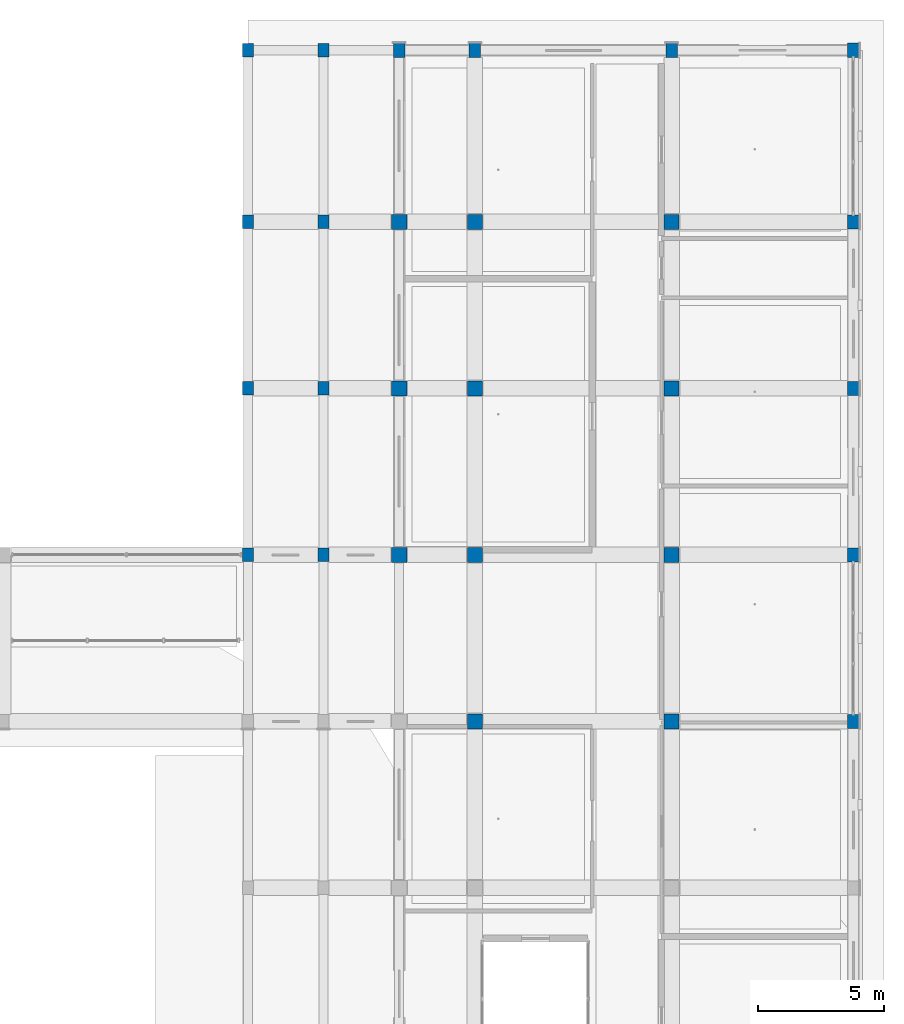
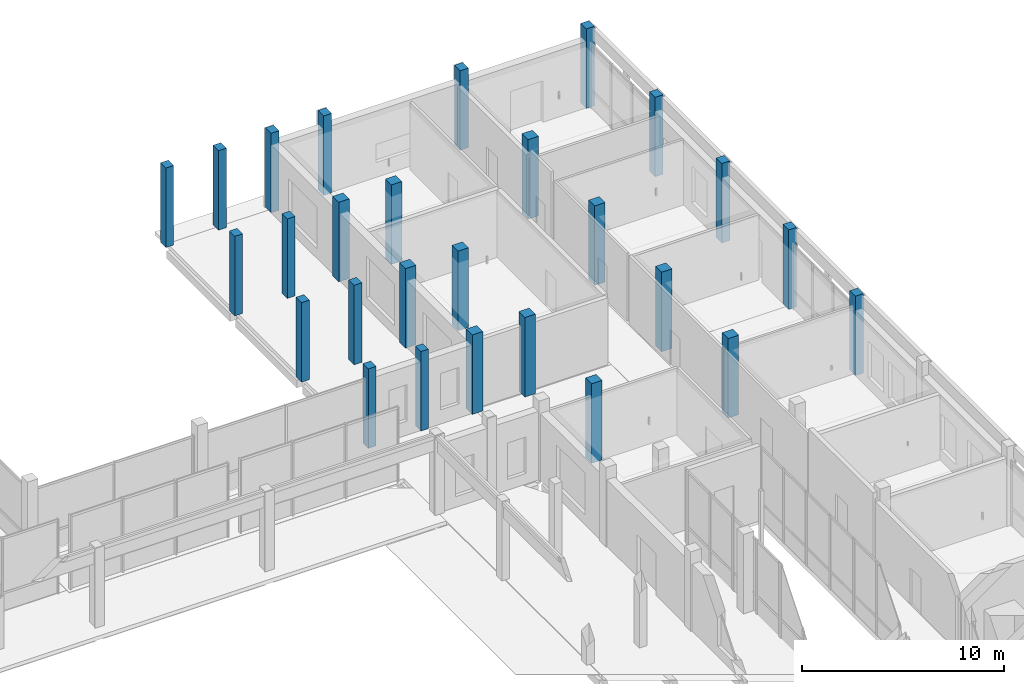
# One storey, part 17 of 88: 27 columns.
"""IFC4 building model written with IfcOpenShell, lengths in metres."""

from ifc_helpers import new_model, si_unit, derived_unit, direction, frame, origin, origin_2d, place, context, subcontext, project, spatial, rectangle, extrude, material, material_profile, profile_set, type_object, element, save


model = new_model("IFC4")

# Units and contexts
model_context = context("Model", 3, precision=1e-05, world=origin(), true_north=direction((0.0, 1.0)))
body_context = subcontext(model_context, "Body", "Model", "MODEL_VIEW")
ifc_project = project(units=[si_unit("LENGTHUNIT", "METRE"), si_unit("AREAUNIT", "SQUARE_METRE"), si_unit("VOLUMEUNIT", "CUBIC_METRE"), si_unit("PLANEANGLEUNIT", "RADIAN"), si_unit("MASSUNIT", "GRAM", prefix="KILO"), derived_unit("THERMALTRANSMITTANCEUNIT", [(si_unit("POWERUNIT", "WATT"), 1), (si_unit("LENGTHUNIT", "METRE"), -2), (si_unit("THERMODYNAMICTEMPERATUREUNIT", "KELVIN"), -1)])], contexts=[model_context])

# Site, building, storey
site_placement = place(None, origin())
site = spatial("IfcSite", under=ifc_project, at=site_placement, CompositionType="ELEMENT")
building_placement = place(site_placement, origin())
building = spatial("IfcBuilding", under=site, at=building_placement, Name="Braskholm Square Health Centre", CompositionType="ELEMENT")
storey_placement = place(building_placement, origin())
storey = spatial("IfcBuildingStorey", under=building, at=storey_placement, Name="L01", CompositionType="ELEMENT", Elevation=0.0)

# Columns
ifc_material_1 = material(Name="Concrete C40/50 (f'c = 40 MPa)", Category="concrete")
ifc_material_profile_1 = material_profile(ifc_material_1, rectangle(XDim=0.60009765625, YDim=0.60009765625, at=origin_2d()), Name="RC-600X600")
ifc_profile_set_1 = profile_set([ifc_material_profile_1], Name="Concrete C40/50 (f'c = 40 MPa)")
column_type_1 = type_object("IfcColumnType", Name="ColInteriorLow600", PredefinedType="COLUMN", material=ifc_profile_set_1)
for number, where, z_axis, x_axis, name in (
    (1, (145.800048828125, 93.800048828125, 0.0), (0.0, 0.0, 1.0), (1.0, 0.0, 0.0), "Column 19/P L01"),
    (2, (145.800048828125, 100.39990234375, 0.0), (0.0, 0.0, 1.0), (1.0, 0.0, 0.0), "Column 19/Q L01"),
    (3, (145.800048828125, 107.0, 0.0), (0.0, 0.0, 1.0), (1.0, 0.0, 0.0), "Column 19/R L01"),
    (4, (148.800048828125, 87.199951171875, 0.0), (0.0, 0.0, 1.0), (1.0, 0.0, 0.0), "Column 20/N L01"),
    (5, (148.800048828125, 93.800048828125, 0.0), (0.0, 0.0, 1.0), (1.0, 0.0, 0.0), "Column 20/P L01"),
    (6, (148.800048828125, 100.39990234375, 0.0), (0.0, 0.0, 1.0), (1.0, 0.0, 0.0), "Column 20/Q L01"),
    (7, (148.800048828125, 107.0, 0.0), (0.0, 0.0, 1.0), (1.0, 0.0, 0.0), "Column 20/R L01"),
    (8, (156.60009765625, 87.199951171875, 0.0), (0.0, 0.0, 1.0), (1.0, 0.0, 0.0), "Column 21/N L01"),
    (9, (156.60009765625, 93.800048828125, 0.0), (0.0, 0.0, 1.0), (1.0, 0.0, 0.0), "Column 21/P L01"),
    (10, (156.60009765625, 100.39990234375, 0.0), (0.0, 0.0, 1.0), (1.0, 0.0, 0.0), "Column 21/Q L01"),
    (11, (156.60009765625, 107.0, 0.0), (0.0, 0.0, 1.0), (1.0, 0.0, 0.0), "Column 21/R L01"),
):
    element("IfcColumn", number, at=place(storey_placement, frame(where, z_axis=z_axis, x_axis=x_axis)), inside=storey, type_object=column_type_1, Name=name, PredefinedType="COLUMN", context=body_context, shape_type="SweptSolid", body=[
        extrude(rectangle(XDim=0.60009765625, YDim=0.60009765625, at=origin_2d()), origin(), (0.0, 0.0, 1.0), 4.800048828125),
    ])
ifc_material_2 = material(Name="Precast concrete C40/50 architectural white", Category="concrete")
ifc_material_profile_2 = material_profile(ifc_material_2, rectangle(XDim=0.43994140625, YDim=0.5400390625, at=origin_2d()), Name="RC-440X540")
ifc_profile_set_2 = profile_set([ifc_material_profile_2], Name="Precast concrete C40/50 architectural white")
column_type_2 = type_object("IfcColumnType", Name="ColPilasterKasota440x540", PredefinedType="PILASTER", material=ifc_profile_set_2)
for number, where, z_axis, x_axis, name in (
    (12, (139.800048828125, 93.800048828125, 0.0), (0.0, 0.0, 1.0), (1.0, 0.0, 0.0), "Column 17/P L01"),
    (13, (139.800048828125, 100.39990234375, 0.0), (0.0, 0.0, 1.0), (1.0, 0.0, 0.0), "Column 17/Q L01"),
    (14, (139.800048828125, 107.0, 0.0), (0.0, 0.0, 1.0), (1.0, 0.0, 0.0), "Column 17/R L01"),
    (15, (139.800048828125, 113.800048828125, 0.0), (0.0, 0.0, 1.0), (1.0, 0.0, 0.0), "Column 17/S L01"),
    (16, (142.800048828125, 93.800048828125, 0.0), (0.0, 0.0, 1.0), (1.0, 0.0, 0.0), "Column 18/P L01"),
    (17, (142.800048828125, 100.39990234375, 0.0), (0.0, 0.0, 1.0), (1.0, 0.0, 0.0), "Column 18/Q L01"),
    (18, (142.800048828125, 107.0, 0.0), (0.0, 0.0, 1.0), (1.0, 0.0, 0.0), "Column 18/R L01"),
    (19, (142.800048828125, 113.800048828125, 0.0), (0.0, 0.0, 1.0), (1.0, 0.0, 0.0), "Column 18/S L01"),
):
    element("IfcColumn", number, at=place(storey_placement, frame(where, z_axis=z_axis, x_axis=x_axis)), inside=storey, type_object=column_type_2, Name=name, PredefinedType="PILASTER", context=body_context, shape_type="SweptSolid", body=[
        extrude(rectangle(XDim=0.43994140625, YDim=0.5400390625, at=origin_2d()), origin(), (0.0, 0.0, 1.0), 4.800048828125),
    ])
ifc_material_profile_3 = material_profile(ifc_material_2, rectangle(XDim=0.4599609375, YDim=0.56005859375, at=origin_2d()), Name="RC-460X560")
ifc_profile_set_3 = profile_set([ifc_material_profile_3], Name="Precast concrete C40/50 architectural white")
column_type_3 = type_object("IfcColumnType", Name="ColPrecastFrame460x560", PredefinedType="COLUMN", material=ifc_profile_set_3)
for number, where, z_axis, x_axis, name in (
    (20, (145.800048828125, 113.800048828125, 0.0), (0.0, 0.0, 1.0), (1.0, 0.0, 0.0), "Column 19/S L01"),
    (21, (148.800048828125, 113.800048828125, 0.0), (0.0, 0.0, 1.0), (1.0, 0.0, 0.0), "Column 20/S L01"),
    (22, (156.60009765625, 113.800048828125, 0.0), (0.0, 0.0, 1.0), (1.0, 0.0, 0.0), "Column 21/S L01"),
    (23, (163.800048828125, 87.199951171875, 0.0), (0.0, 0.0, 1.0), (1.0, 0.0, 0.0), "Column 22/N L01"),
    (24, (163.800048828125, 93.800048828125, 0.0), (0.0, 0.0, 1.0), (1.0, 0.0, 0.0), "Column 22/P L01"),
    (25, (163.800048828125, 100.39990234375, 0.0), (0.0, 0.0, 1.0), (1.0, 0.0, 0.0), "Column 22/Q L01"),
    (26, (163.800048828125, 107.0, 0.0), (0.0, 0.0, 1.0), (1.0, 0.0, 0.0), "Column 22/R L01"),
    (27, (163.800048828125, 113.800048828125, 0.0), (0.0, 0.0, 1.0), (1.0, 0.0, 0.0), "Column 22/S L01"),
):
    element("IfcColumn", number, at=place(storey_placement, frame(where, z_axis=z_axis, x_axis=x_axis)), inside=storey, type_object=column_type_3, Name=name, PredefinedType="COLUMN", context=body_context, shape_type="SweptSolid", body=[
        extrude(rectangle(XDim=0.4599609375, YDim=0.56005859375, at=origin_2d()), origin(), (0.0, 0.0, 1.0), 4.800048828125),
    ])

save(model, "model.ifc")
